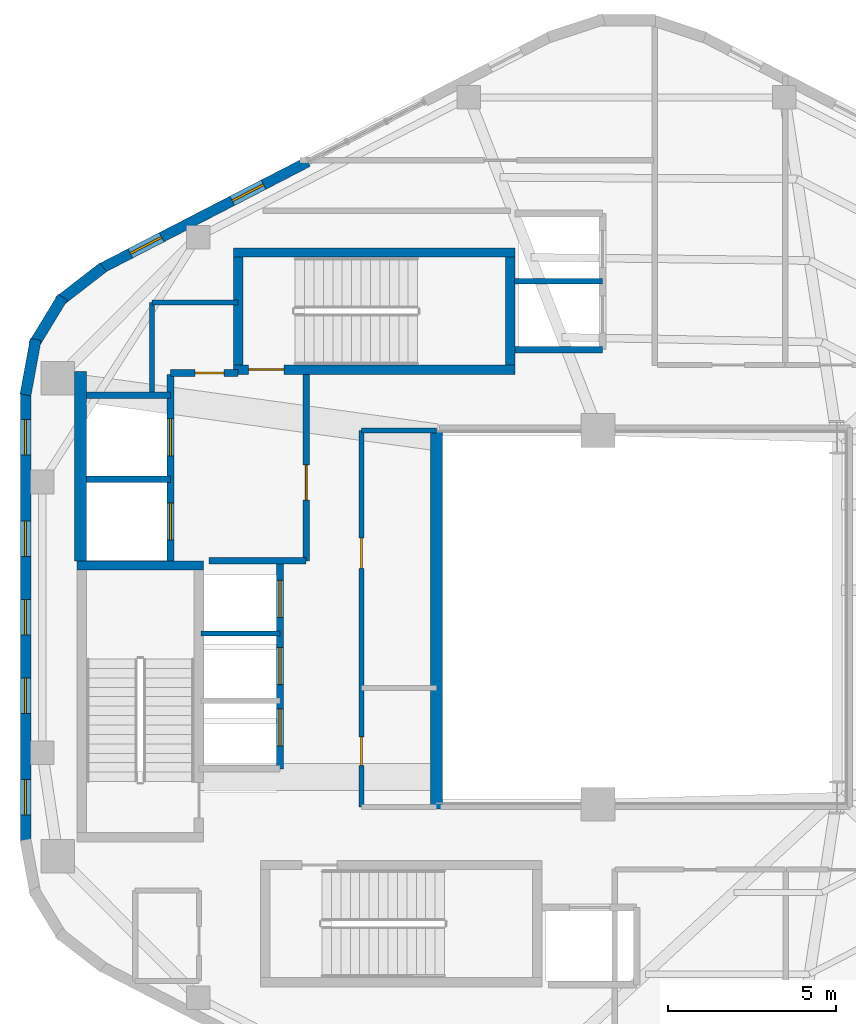
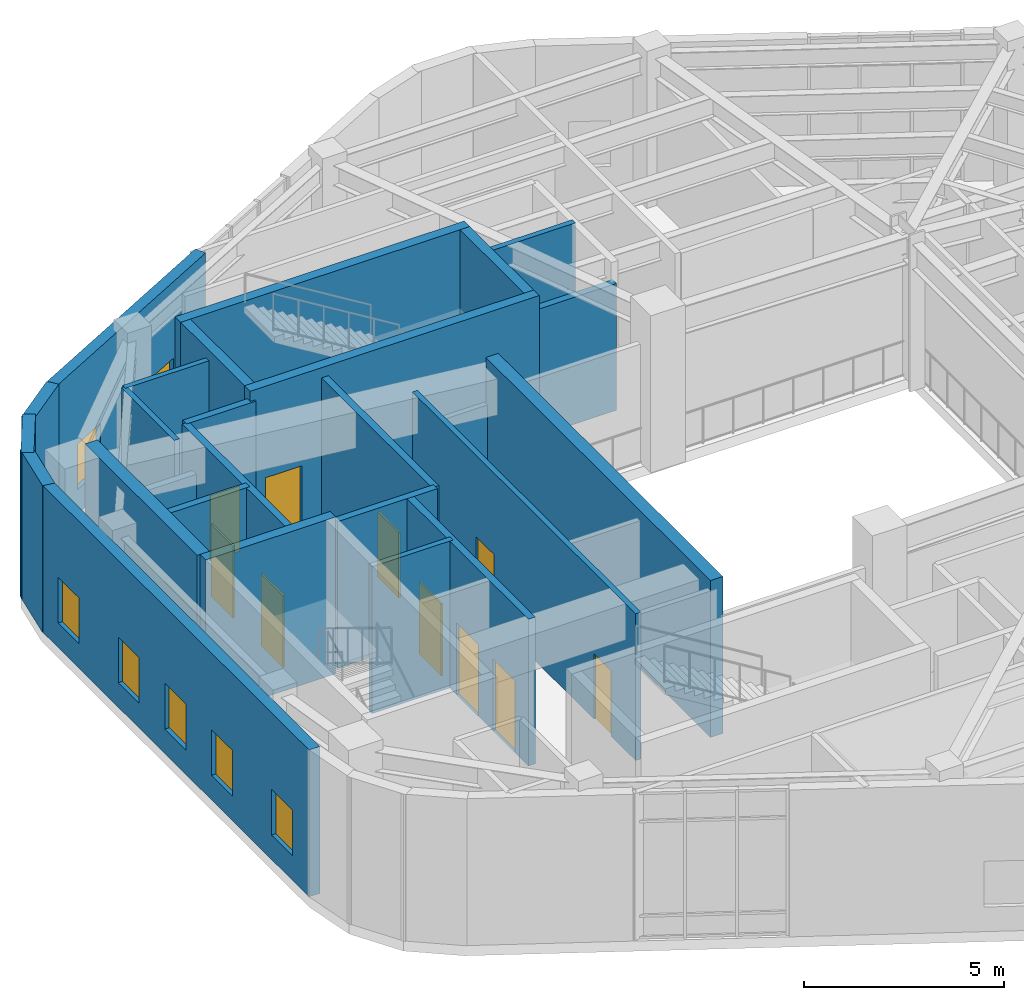
# One storey, part 15 of 18: 26 walls, 10 doors, 7 windows, 17 openings.
"""IFC4 building model written with IfcOpenShell, lengths in metres."""

from ifc_helpers import new_model, si_unit, direction, frame, frame_2d, origin, place, context, subcontext, project, spatial, rectangle, extrude, material, layer, layer_set, type_object, element, fill, save


model = new_model("IFC4")

# Units and contexts
model_context = context("Model", 3, precision=1e-05, world=origin(), true_north=direction((0.0, 1.0)))
body_context = subcontext(model_context, "Body", "Model", "MODEL_VIEW")
ifc_project = project(units=[si_unit("LENGTHUNIT", "METRE"), si_unit("AREAUNIT", "SQUARE_METRE"), si_unit("VOLUMEUNIT", "CUBIC_METRE"), si_unit("PLANEANGLEUNIT", "RADIAN"), si_unit("MASSUNIT", "GRAM", prefix="KILO"), si_unit("THERMODYNAMICTEMPERATUREUNIT", "KELVIN"), si_unit("POWERUNIT", "WATT")], contexts=[model_context])

# Site, building, storey
site_placement = place(None, origin())
site = spatial("IfcSite", under=ifc_project, at=site_placement, CompositionType="ELEMENT")
building_placement = place(site_placement, origin())
building = spatial("IfcBuilding", under=site, at=building_placement, Name="Skarre Station Tower", CompositionType="ELEMENT")
storey_placement = place(building_placement, frame((0.0, 0.0, 270.300048828125)))
storey = spatial("IfcBuildingStorey", under=building, at=storey_placement, Name="L74", CompositionType="ELEMENT", Elevation=270.300048828125)

# Wall, openings, doors
ifc_material_1 = material(Name="Acoustic Steel-Stud Gypsum Partition", Category="steel")
ifc_layer_1 = layer(ifc_material_1, 0.14990234375, Name="Acoustic Steel-Stud Gypsum Partition")
ifc_layer_set_1 = layer_set([ifc_layer_1], Name="Acoustic Steel-Stud Gypsum Partition")
wall_type_1 = type_object("IfcWallType", Name="Fire-Rated Corridor Acoustic Partition 150", PredefinedType="PARTITIONING", material=ifc_layer_set_1)
wall_1_placement = place(storey_placement, frame((25.320068359375, 29.550048828125, 0.0), z_axis=(0.0, 0.0, 1.0), x_axis=(0.0, -1.0, 0.0)))
wall_1 = element("IfcWall", 1, at=wall_1_placement, inside=storey, type_object=wall_type_1, Name="L74 Interior Partition WL-PT-L74-RC2-W", PredefinedType="PARTITIONING", context=body_context, shape_type="SweptSolid", body=[
    extrude(rectangle(XDim=11.18994140625, YDim=0.14990234375, at=frame_2d((5.594970703125, 0.0))), origin(), (0.0, 0.0, 1.0), 4.489990234375),
])
opening_1_placement = place(wall_1_placement, frame((3.199951171875, 0.0, 0.0)))
opening_1 = element("IfcOpeningElement", 2, at=opening_1_placement, cuts=wall_1, Name="Opening DR-SVC90", PredefinedType="OPENING", context=body_context, shape_type="SweptSolid", body=[
    extrude(rectangle(XDim=0.89990234375, YDim=2.0, at=frame_2d((0.449951171875, 1.0))), frame((0.0, 0.0849609375, 0.0), z_axis=(0.0, -1.0, 0.0), x_axis=(1.0, 0.0, 0.0)), (0.0, 0.0, 1.0), 0.169921875),
])
opening_2_placement = place(wall_1_placement, frame((9.10009765625, 0.0, 0.0)))
opening_2 = element("IfcOpeningElement", 3, at=opening_2_placement, cuts=wall_1, Name="Opening DR-SVC86", PredefinedType="OPENING", context=body_context, shape_type="SweptSolid", body=[
    extrude(rectangle(XDim=0.860107421875, YDim=2.0, at=frame_2d((0.43017578125, 1.0))), frame((0.0, 0.0849609375, 0.0), z_axis=(0.0, -1.0, 0.0), x_axis=(1.0, 0.0, 0.0)), (0.0, 0.0, 1.0), 0.169921875),
])
ifc_material_2 = material(Name="Powder-Coated Hollow-Metal Acoustic Fire Leaf", Category="steel")
door_type_1 = type_object("IfcDoorType", Name="Compact Riser Fire Door FD60 860x2100", OperationType="SINGLE_SWING_LEFT", PredefinedType="DOOR", material=ifc_material_2)
door_1_placement = place(opening_2_placement, origin())
door_1 = element("IfcDoor", 4, at=door_1_placement, inside=storey, type_object=door_type_1, Name="L74 Espresso Room Door", OperationType="SINGLE_SWING_LEFT", OverallHeight=2.0, OverallWidth=0.860107421875, PredefinedType="DOOR", context=body_context, shape_type="SweptSolid", body=[
    extrude(rectangle(XDim=0.860107421875, YDim=2.0, at=frame_2d((0.43017578125, 1.0))), frame((0.0, 0.02490234375, 0.0), z_axis=(0.0, -1.0, 0.0), x_axis=(1.0, 0.0, 0.0)), (0.0, 0.0, 1.0), 0.050048828125),
])
fill(opening_2, door_1)
door_type_2 = type_object("IfcDoorType", Name="Service & Riser Fire Door FD60 900x2100", OperationType="SINGLE_SWING_LEFT", PredefinedType="DOOR", material=ifc_material_2)
door_2_placement = place(opening_1_placement, origin())
door_2 = element("IfcDoor", 5, at=door_2_placement, inside=storey, type_object=door_type_2, Name="L74 Reading Alcove Door", OperationType="SINGLE_SWING_LEFT", OverallHeight=2.0, OverallWidth=0.89990234375, PredefinedType="DOOR", context=body_context, shape_type="SweptSolid", body=[
    extrude(rectangle(XDim=0.89990234375, YDim=2.0, at=frame_2d((0.449951171875, 1.0))), frame((0.0, 0.02490234375, 0.0), z_axis=(0.0, -1.0, 0.0), x_axis=(1.0, 0.0, 0.0)), (0.0, 0.0, 1.0), 0.050048828125),
])
fill(opening_1, door_2)

# Walls
wall_2_placement = place(storey_placement, frame((27.550048828125, 29.550048828125, 0.0), z_axis=(0.0, 0.0, 1.0), x_axis=(-1.0, 0.0, 0.0)))
element("IfcWall", 6, at=wall_2_placement, inside=storey, type_object=wall_type_1, Name="L74 Interior Partition WL-PT-L74-RC2-N", PredefinedType="PARTITIONING", context=body_context, shape_type="SweptSolid", body=[
    extrude(rectangle(XDim=2.22998046875, YDim=0.14990234375, at=frame_2d((1.114990234375, 0.0))), origin(), (0.0, 0.0, 1.0), 3.389892578125),
])
wall_3_placement = place(storey_placement, frame((19.10009765625, 33.35009765625, 0.0), z_axis=(0.0, 0.0, 1.0), x_axis=(0.0, -1.0, 0.0)))
element("IfcWall", 7, at=wall_3_placement, inside=storey, type_object=wall_type_1, Name="L74 Interior Partition WL-PT-L74-CNW-W", PredefinedType="PARTITIONING", context=body_context, shape_type="SweptSolid", body=[
    extrude(rectangle(XDim=2.655029296875, YDim=0.14990234375, at=frame_2d((1.32763671875, 0.0))), origin(), (0.0, 0.0, 1.0), 4.489990234375),
])
wall_4_placement = place(storey_placement, frame((21.659912109375, 33.35009765625, 0.0), z_axis=(0.0, 0.0, 1.0), x_axis=(-1.0, 0.0, 0.0)))
element("IfcWall", 8, at=wall_4_placement, inside=storey, type_object=wall_type_1, Name="L74 Interior Partition WL-PT-L74-CNW-N1", PredefinedType="PARTITIONING", context=body_context, shape_type="SweptSolid", body=[
    extrude(rectangle(XDim=2.559814453125, YDim=0.14990234375, at=frame_2d((1.27978515625, 0.0))), origin(), (0.0, 0.0, 1.0), 4.489990234375),
])
ifc_material_3 = material(Name="Precast concrete C45/55", Category="concrete")
ifc_layer_2 = layer(ifc_material_3, 0.330078125, Name="Precast concrete C45/55")
ifc_layer_set_2 = layer_set([ifc_layer_2], Name="Precast concrete C45/55")
wall_type_2 = type_object("IfcWallType", Name="Nordic Rounded Corner Precast Wall 330", PredefinedType="STANDARD", material=ifc_layer_set_2)
wall_5_placement = place(storey_placement, frame((15.337890625, 30.60791015625, 0.0), z_axis=(0.0, 0.0, 1.0), x_axis=(0.180832605401, 0.983513888475, 0.0)))
element("IfcWall", 9, at=wall_5_placement, inside=storey, type_object=wall_type_2, Name="L74 Rounded Corner Precast Wall F2-1", PredefinedType="STANDARD", context=body_context, shape_type="SweptSolid", body=[
    extrude(rectangle(XDim=1.6767578125, YDim=0.330078125, at=frame_2d((0.83837890625, 0.0))), origin(), (0.0, 0.0, 1.0), 4.489990234375),
])
wall_6_placement = place(storey_placement, frame((15.573974609375, 32.08203125, 0.0), z_axis=(0.0, 0.0, 1.0), x_axis=(0.520325409202, 0.853968072318, 0.0)))
element("IfcWall", 10, at=wall_6_placement, inside=storey, type_object=wall_type_2, Name="L74 Rounded Corner Precast Wall F2-2", PredefinedType="STANDARD", context=body_context, shape_type="SweptSolid", body=[
    extrude(rectangle(XDim=1.677978515625, YDim=0.330078125, at=frame_2d((0.8388671875, 0.0))), origin(), (0.0, 0.0, 1.0), 4.489990234375),
])
wall_7_placement = place(storey_placement, frame((16.322021484375, 33.375, 0.0), z_axis=(0.0, 0.0, 1.0), x_axis=(0.790691856293, 0.61221433207, 0.0)))
element("IfcWall", 11, at=wall_7_placement, inside=storey, type_object=wall_type_2, Name="L74 Rounded Corner Precast Wall F2-3", PredefinedType="STANDARD", context=body_context, shape_type="SweptSolid", body=[
    extrude(rectangle(XDim=1.67578125, YDim=0.330078125, at=frame_2d((0.837890625, 0.0))), origin(), (0.0, 0.0, 1.0), 4.489990234375),
])

# Wall, openings, windows
ifc_layer_3 = layer(ifc_material_3, 0.31005859375, Name="Precast concrete C45/55")
ifc_layer_set_3 = layer_set([ifc_layer_3], Name="Precast concrete C45/55")
wall_type_3 = type_object("IfcWallType", Name="Nordic Upper-Zone Precast Facet Wall 310", PredefinedType="STANDARD", material=ifc_layer_set_3)
wall_8_placement = place(storey_placement, frame((17.56591796875, 34.35400390625, 0.0), z_axis=(0.0, 0.0, 1.0), x_axis=(0.888622971019, 0.458638436437, 0.0)))
wall_8 = element("IfcWall", 12, at=wall_8_placement, inside=storey, type_object=wall_type_3, Name="L74 Facet 1 Pier A", PredefinedType="STANDARD", context=body_context, shape_type="SweptSolid", body=[
    extrude(rectangle(XDim=6.935546875, YDim=0.31005859375, at=frame_2d((3.4677734375, 0.0))), origin(), (0.0, 0.0, 1.0), 4.489990234375),
])
opening_3_placement = place(wall_8_placement, frame((0.998046875, 0.0, 0.75)))
opening_3 = element("IfcOpeningElement", 13, at=opening_3_placement, cuts=wall_8, Name="Opening WN-SLT", PredefinedType="OPENING", context=body_context, shape_type="SweptSolid", body=[
    extrude(rectangle(XDim=1.050048828125, YDim=1.39990234375, at=frame_2d((0.52490234375, 0.699951171875))), frame((0.0, 0.1650390625, 0.0), z_axis=(0.0, -1.0, 0.0), x_axis=(1.0, 0.0, 0.0)), (0.0, 0.0, 1.0), 0.330078125),
])
opening_4_placement = place(wall_8_placement, frame((4.403076171875, 0.0, 0.75)))
opening_4 = element("IfcOpeningElement", 14, at=opening_4_placement, cuts=wall_8, Name="Opening WN-SLT", PredefinedType="OPENING", context=body_context, shape_type="SweptSolid", body=[
    extrude(rectangle(XDim=1.050048828125, YDim=1.39990234375, at=frame_2d((0.52490234375, 0.699951171875))), frame((0.0, 0.1650390625, 0.0), z_axis=(0.0, -1.0, 0.0), x_axis=(1.0, 0.0, 0.0)), (0.0, 0.0, 1.0), 0.330078125),
])
ifc_material_4 = material(Name="Low-Iron Triple Glazing with Bronze Anodized Frame", Category="glass")
window_type = type_object("IfcWindowType", Name="Nordic Corner Slot Window 1050x1400", PartitioningType="SINGLE_PANEL", PredefinedType="WINDOW", material=ifc_material_4)
window_1_placement = place(opening_3_placement, origin())
window_1 = element("IfcWindow", 15, at=window_1_placement, inside=storey, type_object=window_type, Name="L74 Facade Window WL-FAC-L74-F1A-1", OverallHeight=1.39990234375, OverallWidth=1.050048828125, PartitioningType="SINGLE_PANEL", PredefinedType="WINDOW", context=body_context, shape_type="SweptSolid", body=[
    extrude(rectangle(XDim=1.050048828125, YDim=1.39990234375, at=frame_2d((0.52490234375, 0.699951171875))), frame((0.0, 0.030029296875, 0.0), z_axis=(0.0, -1.0, 0.0), x_axis=(1.0, 0.0, 0.0)), (0.0, 0.0, 1.0), 0.06005859375),
])
fill(opening_3, window_1)
window_2_placement = place(opening_4_placement, origin())
window_2 = element("IfcWindow", 16, at=window_2_placement, inside=storey, type_object=window_type, Name="L74 Facade Window WL-FAC-L74-F1A-2", OverallHeight=1.39990234375, OverallWidth=1.050048828125, PartitioningType="SINGLE_PANEL", PredefinedType="WINDOW", context=body_context, shape_type="SweptSolid", body=[
    extrude(rectangle(XDim=1.050048828125, YDim=1.39990234375, at=frame_2d((0.52490234375, 0.699951171875))), frame((0.0, 0.030029296875, 0.0), z_axis=(0.0, -1.0, 0.0), x_axis=(1.0, 0.0, 0.0)), (0.0, 0.0, 1.0), 0.06005859375),
])
fill(opening_4, window_2)

wall_9_placement = place(storey_placement, frame((15.342041015625, 17.298095703125, 0.0), z_axis=(0.0, 0.0, 1.0), x_axis=(0.0, 1.0, 0.0)))
wall_9 = element("IfcWall", 17, at=wall_9_placement, inside=storey, type_object=wall_type_3, Name="L74 Facet 2 Nordic Precast Masonry Wall", PredefinedType="STANDARD", context=body_context, shape_type="SweptSolid", body=[
    extrude(rectangle(XDim=13.40380859375, YDim=0.31005859375, at=frame_2d((6.701904296875, 0.0))), origin(), (0.0, 0.0, 1.0), 4.489990234375),
])
opening_5_placement = place(wall_9_placement, frame((0.8310546875, 0.0, 0.75)))
opening_5 = element("IfcOpeningElement", 18, at=opening_5_placement, cuts=wall_9, Name="Opening WN-SLT", PredefinedType="OPENING", context=body_context, shape_type="SweptSolid", body=[
    extrude(rectangle(XDim=1.050048828125, YDim=1.39990234375, at=frame_2d((0.52490234375, 0.699951171875))), frame((0.0, 0.1650390625, 0.0), z_axis=(0.0, -1.0, 0.0), x_axis=(1.0, 0.0, 0.0)), (0.0, 0.0, 1.0), 0.330078125),
])
opening_6_placement = place(wall_9_placement, frame((3.843017578125, 0.0, 0.75)))
opening_6 = element("IfcOpeningElement", 19, at=opening_6_placement, cuts=wall_9, Name="Opening WN-SLT", PredefinedType="OPENING", context=body_context, shape_type="SweptSolid", body=[
    extrude(rectangle(XDim=1.050048828125, YDim=1.39990234375, at=frame_2d((0.52490234375, 0.699951171875))), frame((0.0, 0.1650390625, 0.0), z_axis=(0.0, -1.0, 0.0), x_axis=(1.0, 0.0, 0.0)), (0.0, 0.0, 1.0), 0.330078125),
])
opening_7_placement = place(wall_9_placement, frame((6.177001953125, 0.0, 0.75)))
opening_7 = element("IfcOpeningElement", 20, at=opening_7_placement, cuts=wall_9, Name="Opening WN-SLT", PredefinedType="OPENING", context=body_context, shape_type="SweptSolid", body=[
    extrude(rectangle(XDim=1.050048828125, YDim=1.39990234375, at=frame_2d((0.52490234375, 0.699951171875))), frame((0.0, 0.1650390625, 0.0), z_axis=(0.0, -1.0, 0.0), x_axis=(1.0, 0.0, 0.0)), (0.0, 0.0, 1.0), 0.330078125),
])
opening_8_placement = place(wall_9_placement, frame((8.510986328125, 0.0, 0.75)))
opening_8 = element("IfcOpeningElement", 21, at=opening_8_placement, cuts=wall_9, Name="Opening WN-SLT", PredefinedType="OPENING", context=body_context, shape_type="SweptSolid", body=[
    extrude(rectangle(XDim=1.050048828125, YDim=1.39990234375, at=frame_2d((0.52490234375, 0.699951171875))), frame((0.0, 0.1650390625, 0.0), z_axis=(0.0, -1.0, 0.0), x_axis=(1.0, 0.0, 0.0)), (0.0, 0.0, 1.0), 0.330078125),
])
opening_9_placement = place(wall_9_placement, frame((11.52392578125, 0.0, 0.75)))
opening_9 = element("IfcOpeningElement", 22, at=opening_9_placement, cuts=wall_9, Name="Opening WN-SLT", PredefinedType="OPENING", context=body_context, shape_type="SweptSolid", body=[
    extrude(rectangle(XDim=1.050048828125, YDim=1.39990234375, at=frame_2d((0.52490234375, 0.699951171875))), frame((0.0, 0.1650390625, 0.0), z_axis=(0.0, -1.0, 0.0), x_axis=(1.0, 0.0, 0.0)), (0.0, 0.0, 1.0), 0.330078125),
])
window_3_placement = place(opening_5_placement, origin())
window_3 = element("IfcWindow", 23, at=window_3_placement, inside=storey, type_object=window_type, Name="L74 Facade Window WL-FAC-L74-F2-1", OverallHeight=1.39990234375, OverallWidth=1.050048828125, PartitioningType="SINGLE_PANEL", PredefinedType="WINDOW", context=body_context, shape_type="SweptSolid", body=[
    extrude(rectangle(XDim=1.050048828125, YDim=1.39990234375, at=frame_2d((0.52490234375, 0.699951171875))), frame((0.0, 0.030029296875, 0.0), z_axis=(0.0, -1.0, 0.0), x_axis=(1.0, 0.0, 0.0)), (0.0, 0.0, 1.0), 0.06005859375),
])
fill(opening_5, window_3)
window_4_placement = place(opening_6_placement, origin())
window_4 = element("IfcWindow", 24, at=window_4_placement, inside=storey, type_object=window_type, Name="L74 Facade Window WL-FAC-L74-F2-2", OverallHeight=1.39990234375, OverallWidth=1.050048828125, PartitioningType="SINGLE_PANEL", PredefinedType="WINDOW", context=body_context, shape_type="SweptSolid", body=[
    extrude(rectangle(XDim=1.050048828125, YDim=1.39990234375, at=frame_2d((0.52490234375, 0.699951171875))), frame((0.0, 0.030029296875, 0.0), z_axis=(0.0, -1.0, 0.0), x_axis=(1.0, 0.0, 0.0)), (0.0, 0.0, 1.0), 0.06005859375),
])
fill(opening_6, window_4)
window_5_placement = place(opening_7_placement, origin())
window_5 = element("IfcWindow", 25, at=window_5_placement, inside=storey, type_object=window_type, Name="L74 Facade Window WL-FAC-L74-F2-3", OverallHeight=1.39990234375, OverallWidth=1.050048828125, PartitioningType="SINGLE_PANEL", PredefinedType="WINDOW", context=body_context, shape_type="SweptSolid", body=[
    extrude(rectangle(XDim=1.050048828125, YDim=1.39990234375, at=frame_2d((0.52490234375, 0.699951171875))), frame((0.0, 0.030029296875, 0.0), z_axis=(0.0, -1.0, 0.0), x_axis=(1.0, 0.0, 0.0)), (0.0, 0.0, 1.0), 0.06005859375),
])
fill(opening_7, window_5)
window_6_placement = place(opening_8_placement, origin())
window_6 = element("IfcWindow", 26, at=window_6_placement, inside=storey, type_object=window_type, Name="L74 Facade Window WL-FAC-L74-F2-4", OverallHeight=1.39990234375, OverallWidth=1.050048828125, PartitioningType="SINGLE_PANEL", PredefinedType="WINDOW", context=body_context, shape_type="SweptSolid", body=[
    extrude(rectangle(XDim=1.050048828125, YDim=1.39990234375, at=frame_2d((0.52490234375, 0.699951171875))), frame((0.0, 0.030029296875, 0.0), z_axis=(0.0, -1.0, 0.0), x_axis=(1.0, 0.0, 0.0)), (0.0, 0.0, 1.0), 0.06005859375),
])
fill(opening_8, window_6)
window_7_placement = place(opening_9_placement, origin())
window_7 = element("IfcWindow", 27, at=window_7_placement, inside=storey, type_object=window_type, Name="L74 Facade Window WL-FAC-L74-F2-5", OverallHeight=1.39990234375, OverallWidth=1.050048828125, PartitioningType="SINGLE_PANEL", PredefinedType="WINDOW", context=body_context, shape_type="SweptSolid", body=[
    extrude(rectangle(XDim=1.050048828125, YDim=1.39990234375, at=frame_2d((0.52490234375, 0.699951171875))), frame((0.0, 0.030029296875, 0.0), z_axis=(0.0, -1.0, 0.0), x_axis=(1.0, 0.0, 0.0)), (0.0, 0.0, 1.0), 0.06005859375),
])
fill(opening_9, window_7)

# Wall
ifc_material_5 = material(Name="Concrete C50/60", Category="concrete")
ifc_layer_4 = layer(ifc_material_5, 0.280029296875, Name="Concrete C50/60")
ifc_layer_set_4 = layer_set([ifc_layer_4], Name="Concrete C50/60")
wall_type_4 = type_object("IfcWallType", Name="RC Core Shear Wall 280", PredefinedType="SHEAR", material=ifc_layer_set_4)
wall_10_placement = place(storey_placement, frame((20.6298828125, 25.5400390625, 0.0), z_axis=(0.0, 0.0, 1.0), x_axis=(-1.0, 0.0, 0.0)))
element("IfcWall", 28, at=wall_10_placement, inside=storey, type_object=wall_type_4, Name="L74 Stair ST-1 North Shear Wall", PredefinedType="SHEAR", context=body_context, shape_type="SweptSolid", body=[
    extrude(rectangle(XDim=3.759765625, YDim=0.280029296875, at=frame_2d((1.8798828125, 0.0))), origin(), (0.0, 0.0, 1.0), 4.800048828125),
])

# Wall, opening, door
wall_11_placement = place(storey_placement, frame((21.52001953125, 31.360107421875, 0.0), z_axis=(0.0, 0.0, 1.0), x_axis=(1.0, 0.0, 0.0)))
wall_11 = element("IfcWall", 29, at=wall_11_placement, inside=storey, type_object=wall_type_4, Name="L74 Stair ST-3 South Shear Wall", PredefinedType="SHEAR", context=body_context, shape_type="SweptSolid", body=[
    extrude(rectangle(XDim=8.35986328125, YDim=0.280029296875, at=frame_2d((4.179931640625, 0.0))), origin(), (0.0, 0.0, 1.0), 4.800048828125),
])
opening_10_placement = place(wall_11_placement, frame((0.449951171875, 0.0, 0.0)))
opening_10 = element("IfcOpeningElement", 30, at=opening_10_placement, cuts=wall_11, Name="Opening DR-FD90", PredefinedType="OPENING", context=body_context, shape_type="SweptSolid", body=[
    extrude(rectangle(XDim=1.050048828125, YDim=2.0, at=frame_2d((0.52490234375, 1.0))), frame((0.0, 0.14990234375, 0.0), z_axis=(0.0, -1.0, 0.0), x_axis=(1.0, 0.0, 0.0)), (0.0, 0.0, 1.0), 0.300048828125),
])
ifc_material_6 = material(Name="Fire-Rated Insulated Steel Frame & Timber Core Leaf", Category="steel")
door_type_3 = type_object("IfcDoorType", Name="Stair & FSAE Lobby Fire Door FD90 1050x2150", OperationType="SINGLE_SWING_RIGHT", PredefinedType="DOOR", material=ifc_material_6)
door_3_placement = place(opening_10_placement, origin())
door_3 = element("IfcDoor", 31, at=door_3_placement, inside=storey, type_object=door_type_3, Name="L74 Stair ST-3 & FSAE Lobby Direct Exit Door", OperationType="SINGLE_SWING_LEFT", OverallHeight=2.0, OverallWidth=1.050048828125, PredefinedType="DOOR", context=body_context, shape_type="SweptSolid", body=[
    extrude(rectangle(XDim=1.050048828125, YDim=2.0, at=frame_2d((0.52490234375, 1.0))), frame((0.0, 0.02490234375, 0.0), z_axis=(0.0, -1.0, 0.0), x_axis=(1.0, 0.0, 0.0)), (0.0, 0.0, 1.0), 0.050048828125),
])
fill(opening_10, door_3)

# Walls
wall_12_placement = place(storey_placement, frame((29.8798828125, 34.840087890625, 0.0), z_axis=(0.0, 0.0, 1.0), x_axis=(-1.0, 0.0, 0.0)))
element("IfcWall", 32, at=wall_12_placement, inside=storey, type_object=wall_type_4, Name="L74 Stair ST-3 North Shear Wall", PredefinedType="SHEAR", context=body_context, shape_type="SweptSolid", body=[
    extrude(rectangle(XDim=8.35986328125, YDim=0.280029296875, at=frame_2d((4.179931640625, 0.0))), origin(), (0.0, 0.0, 1.0), 4.800048828125),
])
for number, where, z_axis, x_axis, name in (
    (33, (21.659912109375, 34.699951171875, 0.0), (0.0, 0.0, 1.0), (0.0, -1.0, 0.0), "L74 Stair ST-3 West Shear Wall"),
    (34, (29.739990234375, 31.5, 0.0), (0.0, 0.0, 1.0), (0.0, 1.0, 0.0), "L74 Stair ST-3 East Shear Wall"),
):
    element("IfcWall", number, at=place(storey_placement, frame(where, z_axis=z_axis, x_axis=x_axis)), inside=storey, type_object=wall_type_4, Name=name, PredefinedType="SHEAR", context=body_context, shape_type="SweptSolid", body=[
        extrude(rectangle(XDim=3.199951171875, YDim=0.280029296875, at=frame_2d((1.60009765625, 0.0))), origin(), (0.0, 0.0, 1.0), 4.800048828125),
    ])
ifc_layer_5 = layer(ifc_material_5, 0.360107421875, Name="Concrete C50/60")
ifc_layer_set_5 = layer_set([ifc_layer_5], Name="Concrete C50/60")
wall_type_5 = type_object("IfcWallType", Name="RC Core Shear Wall 360", PredefinedType="SHEAR", material=ifc_layer_set_5)
wall_13_placement = place(storey_placement, frame((16.969970703125, 25.679931640625, 0.0), z_axis=(0.0, 0.0, 1.0), x_axis=(0.0, 1.0, 0.0)))
element("IfcWall", 35, at=wall_13_placement, inside=storey, type_object=wall_type_5, Name="L74 Core West-North Shear Wall", PredefinedType="SHEAR", context=body_context, shape_type="SweptSolid", body=[
    extrude(rectangle(XDim=5.6201171875, YDim=0.360107421875, at=frame_2d((2.81005859375, 0.0))), origin(), (0.0, 0.0, 1.0), 4.800048828125),
])
wall_14_placement = place(storey_placement, frame((27.550048828125, 29.550048828125, 0.0), z_axis=(0.0, 0.0, 1.0), x_axis=(0.0, -1.0, 0.0)))
element("IfcWall", 36, at=wall_14_placement, inside=storey, type_object=wall_type_5, Name="L74 Core East Atrium Shear Wall", PredefinedType="SHEAR", context=body_context, shape_type="SweptSolid", body=[
    extrude(rectangle(XDim=11.25, YDim=0.360107421875, at=frame_2d((5.625, 0.0))), origin(), (0.0, 0.0, 1.0), 4.800048828125),
])

# Wall, openings, doors
ifc_material_7 = material(Name="Gypsum Concrete Shaft Assembly C30/37", Category="concrete")
ifc_layer_6 = layer(ifc_material_7, 0.199951171875, Name="Gypsum Concrete Shaft Assembly C30/37")
ifc_layer_set_6 = layer_set([ifc_layer_6], Name="Gypsum Concrete Shaft Assembly C30/37")
wall_type_6 = type_object("IfcWallType", Name="Shaft & Core Fire Partition 200", PredefinedType="PARTITIONING", material=ifc_layer_set_6)
wall_15_placement = place(storey_placement, frame((19.64990234375, 25.679931640625, 0.0), z_axis=(0.0, 0.0, 1.0), x_axis=(0.0, 1.0, 0.0)))
wall_15 = element("IfcWall", 37, at=wall_15_placement, inside=storey, type_object=wall_type_6, Name="L74 Interior Partition WL-PT-L74-FSAE-W", PredefinedType="PARTITIONING", context=body_context, shape_type="SweptSolid", body=[
    extrude(rectangle(XDim=5.5400390625, YDim=0.199951171875, at=frame_2d((2.77001953125, 0.0))), origin(), (0.0, 0.0, 1.0), 4.489990234375),
])
opening_11_placement = place(wall_15_placement, frame((0.6201171875, 0.0, 0.0)))
opening_11 = element("IfcOpeningElement", 38, at=opening_11_placement, cuts=wall_15, Name="Opening LD-FF1", PredefinedType="OPENING", context=body_context, shape_type="SweptSolid", body=[
    extrude(rectangle(XDim=1.10009765625, YDim=2.199951171875, at=frame_2d((0.550048828125, 1.10009765625))), frame((0.0, 0.10986328125, 0.0), z_axis=(0.0, -1.0, 0.0), x_axis=(1.0, 0.0, 0.0)), (0.0, 0.0, 1.0), 0.219970703125),
])
opening_12_placement = place(wall_15_placement, frame((3.1201171875, 0.0, 0.0)))
opening_12 = element("IfcOpeningElement", 39, at=opening_12_placement, cuts=wall_15, Name="Opening LD-FF2", PredefinedType="OPENING", context=body_context, shape_type="SweptSolid", body=[
    extrude(rectangle(XDim=1.10009765625, YDim=2.199951171875, at=frame_2d((0.550048828125, 1.10009765625))), frame((0.0, 0.10986328125, 0.0), z_axis=(0.0, -1.0, 0.0), x_axis=(1.0, 0.0, 0.0)), (0.0, 0.0, 1.0), 0.219970703125),
])
ifc_material_8 = material(Name="Fire-Rated Stainless Steel Grade 316L Sliding Leaves", Category="steel")
door_type_4 = type_object("IfcDoorType", Name="Fire Service Access Elevator Sliding Landing Door 1100x2200", OperationType="SLIDING_TO_LEFT", PredefinedType="DOOR", material=ifc_material_8)
door_4_placement = place(opening_11_placement, origin())
door_4 = element("IfcDoor", 40, at=door_4_placement, inside=storey, type_object=door_type_4, Name="L74 Firefighting Lift LF-FF1 Landing Door", OperationType="SLIDING_TO_LEFT", OverallHeight=2.199951171875, OverallWidth=1.10009765625, PredefinedType="DOOR", context=body_context, shape_type="SweptSolid", body=[
    extrude(rectangle(XDim=1.10009765625, YDim=2.199951171875, at=frame_2d((0.550048828125, 1.10009765625))), frame((0.0, 0.02490234375, 0.0), z_axis=(0.0, -1.0, 0.0), x_axis=(1.0, 0.0, 0.0)), (0.0, 0.0, 1.0), 0.050048828125),
])
fill(opening_11, door_4)
door_5_placement = place(opening_12_placement, origin())
door_5 = element("IfcDoor", 41, at=door_5_placement, inside=storey, type_object=door_type_4, Name="L74 Firefighting Lift LF-FF2 Landing Door", OperationType="SLIDING_TO_LEFT", OverallHeight=2.199951171875, OverallWidth=1.10009765625, PredefinedType="DOOR", context=body_context, shape_type="SweptSolid", body=[
    extrude(rectangle(XDim=1.10009765625, YDim=2.199951171875, at=frame_2d((0.550048828125, 1.10009765625))), frame((0.0, 0.02490234375, 0.0), z_axis=(0.0, -1.0, 0.0), x_axis=(1.0, 0.0, 0.0)), (0.0, 0.0, 1.0), 0.050048828125),
])
fill(opening_12, door_5)

# Wall
wall_16_placement = place(storey_placement, frame((20.79296875, 25.679931640625, 0.0), z_axis=(0.0, 0.0, 1.0), x_axis=(1.0, 0.0, 0.0)))
element("IfcWall", 42, at=wall_16_placement, inside=storey, type_object=wall_type_6, Name="L74 Interior Partition WL-PT-L74-FSAE-S", PredefinedType="PARTITIONING", context=body_context, shape_type="SweptSolid", body=[
    extrude(rectangle(XDim=2.886962890625, YDim=0.199951171875, at=frame_2d((1.443359375, 0.0))), origin(), (0.0, 0.0, 1.0), 4.489990234375),
])

# Wall, opening, door
wall_17_placement = place(storey_placement, frame((23.679931640625, 25.679931640625, 0.0), z_axis=(0.0, 0.0, 1.0), x_axis=(0.0, 1.0, 0.0)))
wall_17 = element("IfcWall", 43, at=wall_17_placement, inside=storey, type_object=wall_type_6, Name="L74 Interior Partition WL-PT-L74-FSAE-E", PredefinedType="PARTITIONING", context=body_context, shape_type="SweptSolid", body=[
    extrude(rectangle(XDim=5.5400390625, YDim=0.199951171875, at=frame_2d((2.77001953125, 0.0))), origin(), (0.0, 0.0, 1.0), 4.489990234375),
])
opening_13_placement = place(wall_17_placement, frame((1.800048828125, 0.0, 0.0)))
opening_13 = element("IfcOpeningElement", 44, at=opening_13_placement, cuts=wall_17, Name="Opening DR-FD90", PredefinedType="OPENING", context=body_context, shape_type="SweptSolid", body=[
    extrude(rectangle(XDim=1.050048828125, YDim=2.0, at=frame_2d((0.52490234375, 1.0))), frame((0.0, 0.10986328125, 0.0), z_axis=(0.0, -1.0, 0.0), x_axis=(1.0, 0.0, 0.0)), (0.0, 0.0, 1.0), 0.219970703125),
])
door_6_placement = place(opening_13_placement, origin())
door_6 = element("IfcDoor", 45, at=door_6_placement, inside=storey, type_object=door_type_3, Name="L74 FSAE Lobby Fire Door", OperationType="SINGLE_SWING_RIGHT", OverallHeight=2.0, OverallWidth=1.050048828125, PredefinedType="DOOR", context=body_context, shape_type="SweptSolid", body=[
    extrude(rectangle(XDim=1.050048828125, YDim=2.0, at=frame_2d((0.52490234375, 1.0))), frame((0.0, 0.02490234375, 0.0), z_axis=(0.0, -1.0, 0.0), x_axis=(1.0, 0.0, 0.0)), (0.0, 0.0, 1.0), 0.050048828125),
])
fill(opening_13, door_6)

wall_18_placement = place(storey_placement, frame((21.659912109375, 31.260009765625, 0.0), z_axis=(0.0, 0.0, 1.0), x_axis=(-1.0, 0.0, 0.0)))
wall_18 = element("IfcWall", 46, at=wall_18_placement, inside=storey, type_object=wall_type_6, Name="L74 Interior Partition WL-PT-L74-FSAE-N", PredefinedType="PARTITIONING", context=body_context, shape_type="SweptSolid", body=[
    extrude(rectangle(XDim=2.010009765625, YDim=0.199951171875, at=frame_2d((1.0048828125, 0.0))), origin(), (0.0, 0.0, 1.0), 4.489990234375),
])
opening_14_placement = place(wall_18_placement, frame((0.419921875, 0.0, 0.0)))
opening_14 = element("IfcOpeningElement", 47, at=opening_14_placement, cuts=wall_18, Name="Opening DR-SVC86", PredefinedType="OPENING", context=body_context, shape_type="SweptSolid", body=[
    extrude(rectangle(XDim=0.860107421875, YDim=2.0, at=frame_2d((0.43017578125, 1.0))), frame((0.0, 0.10986328125, 0.0), z_axis=(0.0, -1.0, 0.0), x_axis=(1.0, 0.0, 0.0)), (0.0, 0.0, 1.0), 0.219970703125),
])
door_7_placement = place(opening_14_placement, origin())
door_7 = element("IfcDoor", 48, at=door_7_placement, inside=storey, type_object=door_type_1, Name="L74 Core Service Room Lobby Door", OperationType="SINGLE_SWING_LEFT", OverallHeight=2.0, OverallWidth=0.860107421875, PredefinedType="DOOR", context=body_context, shape_type="SweptSolid", body=[
    extrude(rectangle(XDim=0.860107421875, YDim=2.0, at=frame_2d((0.43017578125, 1.0))), frame((0.0, 0.02490234375, 0.0), z_axis=(0.0, -1.0, 0.0), x_axis=(1.0, 0.0, 0.0)), (0.0, 0.0, 1.0), 0.050048828125),
])
fill(opening_14, door_7)

# Walls
wall_19_placement = place(storey_placement, frame((17.14990234375, 28.10009765625, 0.0), z_axis=(0.0, 0.0, 1.0), x_axis=(1.0, 0.0, 0.0)))
element("IfcWall", 49, at=wall_19_placement, inside=storey, type_object=wall_type_6, Name="L74 Interior Partition WL-PT-L74-FF-DIV", PredefinedType="PARTITIONING", context=body_context, shape_type="SweptSolid", body=[
    extrude(rectangle(XDim=2.5, YDim=0.199951171875, at=frame_2d((1.25, 0.0))), origin(), (0.0, 0.0, 1.0), 4.489990234375),
])
wall_20_placement = place(storey_placement, frame((19.64990234375, 30.60009765625, 0.0), z_axis=(0.0, 0.0, 1.0), x_axis=(-1.0, 0.0, 0.0)))
element("IfcWall", 50, at=wall_20_placement, inside=storey, type_object=wall_type_6, Name="L74 Interior Partition WL-PT-L74-FF-N", PredefinedType="PARTITIONING", context=body_context, shape_type="SweptSolid", body=[
    extrude(rectangle(XDim=2.5, YDim=0.199951171875, at=frame_2d((1.25, 0.0))), origin(), (0.0, 0.0, 1.0), 3.389892578125),
])
wall_21_placement = place(storey_placement, frame((32.47998046875, 31.949951171875, 0.0), z_axis=(0.0, 0.0, 1.0), x_axis=(-1.0, 0.0, 0.0)))
element("IfcWall", 51, at=wall_21_placement, inside=storey, type_object=wall_type_6, Name="L74 Interior Partition WL-PT-L74-EX-S", PredefinedType="PARTITIONING", context=body_context, shape_type="SweptSolid", body=[
    extrude(rectangle(XDim=2.60009765625, YDim=0.199951171875, at=frame_2d((1.300048828125, 0.0))), origin(), (0.0, 0.0, 1.0), 3.8818359375),
])
wall_22_placement = place(storey_placement, frame((29.875, 33.97998046875, 0.0), z_axis=(0.0, 0.0, 1.0), x_axis=(1.0, 0.0, 0.0)))
element("IfcWall", 52, at=wall_22_placement, inside=storey, type_object=wall_type_6, Name="L74 Interior Partition WL-PT-L74-EX-DIV", PredefinedType="PARTITIONING", context=body_context, shape_type="SweptSolid", body=[
    extrude(rectangle(XDim=2.60498046875, YDim=0.159912109375, at=frame_2d((1.302490234375, 0.0))), origin(), (0.0, 0.0, 1.0), 4.489990234375),
])

# Wall, openings, doors
wall_23_placement = place(storey_placement, frame((22.89990234375, 19.5, 0.0), z_axis=(0.0, 0.0, 1.0), x_axis=(0.0, 1.0, 0.0)))
wall_23 = element("IfcWall", 53, at=wall_23_placement, inside=storey, type_object=wall_type_6, Name="L74 Interior Partition WL-PT-L74-B3-E", PredefinedType="PARTITIONING", context=body_context, shape_type="SweptSolid", body=[
    extrude(rectangle(XDim=6.0849609375, YDim=0.199951171875, at=frame_2d((3.04248046875, 0.0))), origin(), (0.0, 0.0, 1.0), 4.489990234375),
])
opening_15_placement = place(wall_23_placement, frame((0.679931640625, 0.0, 0.0)))
opening_15 = element("IfcOpeningElement", 54, at=opening_15_placement, cuts=wall_23, Name="Opening LD-P7", PredefinedType="OPENING", context=body_context, shape_type="SweptSolid", body=[
    extrude(rectangle(XDim=1.10009765625, YDim=2.199951171875, at=frame_2d((0.550048828125, 1.10009765625))), frame((0.0, 0.10986328125, 0.0), z_axis=(0.0, -1.0, 0.0), x_axis=(1.0, 0.0, 0.0)), (0.0, 0.0, 1.0), 0.219970703125),
])
opening_16_placement = place(wall_23_placement, frame((2.5, 0.0, 0.0)))
opening_16 = element("IfcOpeningElement", 55, at=opening_16_placement, cuts=wall_23, Name="Opening LD-P8", PredefinedType="OPENING", context=body_context, shape_type="SweptSolid", body=[
    extrude(rectangle(XDim=1.10009765625, YDim=2.199951171875, at=frame_2d((0.550048828125, 1.10009765625))), frame((0.0, 0.10986328125, 0.0), z_axis=(0.0, -1.0, 0.0), x_axis=(1.0, 0.0, 0.0)), (0.0, 0.0, 1.0), 0.219970703125),
])
opening_17_placement = place(wall_23_placement, frame((4.5, 0.0, 0.0)))
opening_17 = element("IfcOpeningElement", 56, at=opening_17_placement, cuts=wall_23, Name="Opening LD-P9", PredefinedType="OPENING", context=body_context, shape_type="SweptSolid", body=[
    extrude(rectangle(XDim=1.10009765625, YDim=2.199951171875, at=frame_2d((0.550048828125, 1.10009765625))), frame((0.0, 0.10986328125, 0.0), z_axis=(0.0, -1.0, 0.0), x_axis=(1.0, 0.0, 0.0)), (0.0, 0.0, 1.0), 0.219970703125),
])
ifc_material_9 = material(Name="Brushed Bronze Stainless Steel Sliding Leaves", Category="steel")
door_type_5 = type_object("IfcDoorType", Name="Passenger Elevator Center-Parting Sliding Door 1100x2200", OperationType="SLIDING_TO_LEFT", PredefinedType="DOOR", material=ifc_material_9)
door_8_placement = place(opening_15_placement, origin())
door_8 = element("IfcDoor", 57, at=door_8_placement, inside=storey, type_object=door_type_5, Name="L74 Passenger Lift LF-P7 Landing Door", OperationType="SLIDING_TO_LEFT", OverallHeight=2.199951171875, OverallWidth=1.10009765625, PredefinedType="DOOR", context=body_context, shape_type="SweptSolid", body=[
    extrude(rectangle(XDim=1.10009765625, YDim=2.199951171875, at=frame_2d((0.550048828125, 1.10009765625))), frame((0.0, 0.02490234375, 0.0), z_axis=(0.0, -1.0, 0.0), x_axis=(1.0, 0.0, 0.0)), (0.0, 0.0, 1.0), 0.050048828125),
])
fill(opening_15, door_8)
door_9_placement = place(opening_16_placement, origin())
door_9 = element("IfcDoor", 58, at=door_9_placement, inside=storey, type_object=door_type_5, Name="L74 Passenger Lift LF-P8 Landing Door", OperationType="SLIDING_TO_LEFT", OverallHeight=2.199951171875, OverallWidth=1.10009765625, PredefinedType="DOOR", context=body_context, shape_type="SweptSolid", body=[
    extrude(rectangle(XDim=1.10009765625, YDim=2.199951171875, at=frame_2d((0.550048828125, 1.10009765625))), frame((0.0, 0.02490234375, 0.0), z_axis=(0.0, -1.0, 0.0), x_axis=(1.0, 0.0, 0.0)), (0.0, 0.0, 1.0), 0.050048828125),
])
fill(opening_16, door_9)
door_10_placement = place(opening_17_placement, origin())
door_10 = element("IfcDoor", 59, at=door_10_placement, inside=storey, type_object=door_type_5, Name="L74 Passenger Lift LF-P9 Landing Door", OperationType="SLIDING_TO_LEFT", OverallHeight=2.199951171875, OverallWidth=1.10009765625, PredefinedType="DOOR", context=body_context, shape_type="SweptSolid", body=[
    extrude(rectangle(XDim=1.10009765625, YDim=2.199951171875, at=frame_2d((0.550048828125, 1.10009765625))), frame((0.0, 0.02490234375, 0.0), z_axis=(0.0, -1.0, 0.0), x_axis=(1.0, 0.0, 0.0)), (0.0, 0.0, 1.0), 0.050048828125),
])
fill(opening_17, door_10)

# Wall
wall_24_placement = place(storey_placement, frame((20.550048828125, 23.52001953125, 0.0), z_axis=(0.0, 0.0, 1.0), x_axis=(1.0, 0.0, 0.0)))
element("IfcWall", 60, at=wall_24_placement, inside=storey, type_object=wall_type_6, Name="L74 Interior Partition WL-PT-L74-B3-D2", PredefinedType="PARTITIONING", context=body_context, shape_type="SweptSolid", body=[
    extrude(rectangle(XDim=2.349853515625, YDim=0.159912109375, at=frame_2d((1.1748046875, 0.0))), origin(), (0.0, 0.0, 1.0), 4.489990234375),
])

save(model, "model.ifc")
